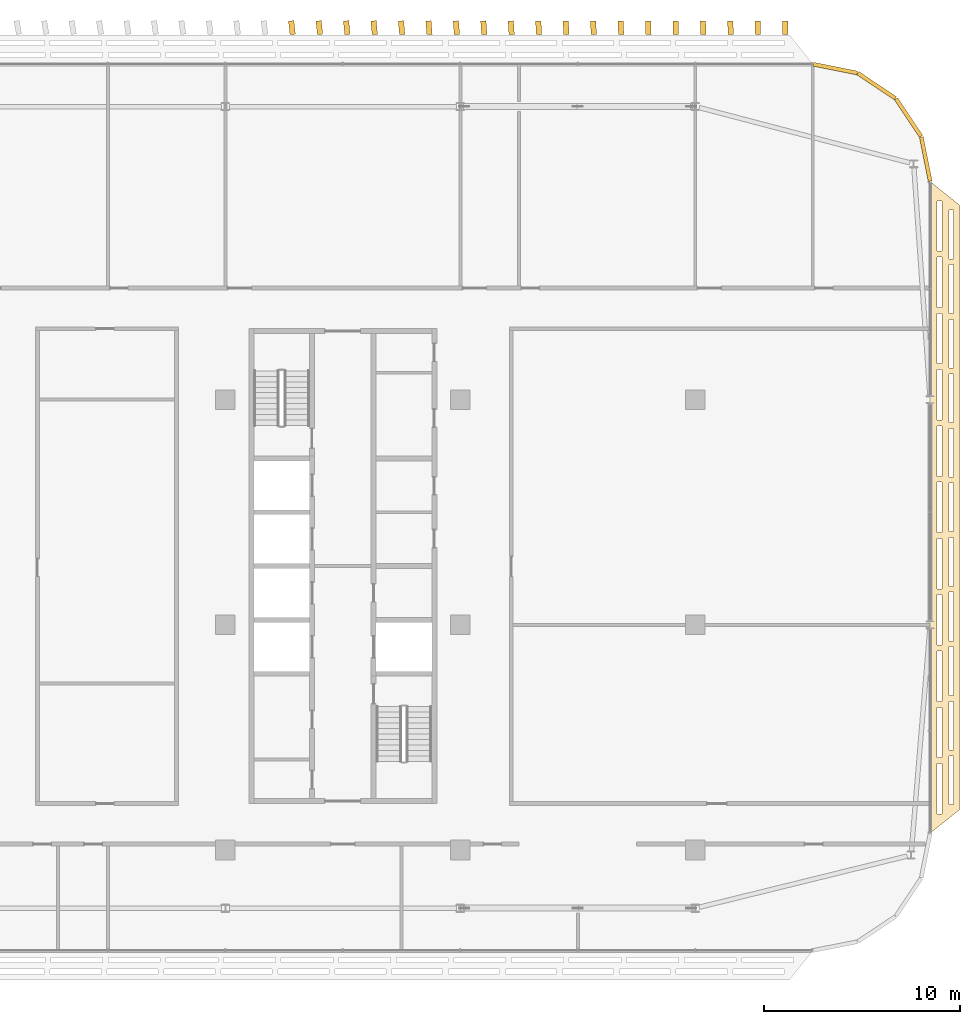
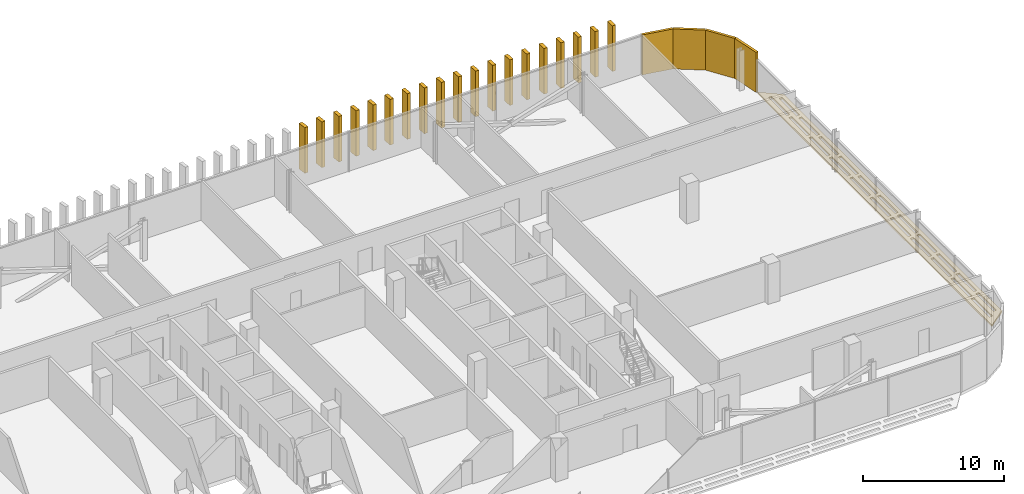
# One storey, part 32 of 32: 24 coverings.
"""IFC4 building model written with IfcOpenShell, lengths in metres."""

from ifc_helpers import new_model, si_unit, direction, frame, origin, origin_2d, place, context, subcontext, project, spatial, polyline, rectangle, outline, extrude, material, layer, layer_set, type_object, element, save


model = new_model("IFC4")

# Units and contexts
model_context = context("Model", 3, precision=1e-05, world=origin(), true_north=direction((0.0, 1.0)))
body_context = subcontext(model_context, "Body", "Model", "MODEL_VIEW")
ifc_project = project(units=[si_unit("LENGTHUNIT", "METRE"), si_unit("AREAUNIT", "SQUARE_METRE"), si_unit("VOLUMEUNIT", "CUBIC_METRE"), si_unit("PLANEANGLEUNIT", "RADIAN"), si_unit("MASSUNIT", "GRAM", prefix="KILO")], contexts=[model_context])

# Site, building, storey
site_placement = place(None, origin())
site = spatial("IfcSite", under=ifc_project, at=site_placement, CompositionType="ELEMENT")
building_placement = place(site_placement, origin())
building = spatial("IfcBuilding", under=site, at=building_placement, Name="Mahtab Terrace Research Tower", CompositionType="ELEMENT")
storey_placement = place(building_placement, frame((0.0, 0.0, 232.39990234375)))
storey = spatial("IfcBuildingStorey", under=building, at=storey_placement, Name="L56", CompositionType="ELEMENT", Elevation=232.39990234375)

# Coverings
ifc_material_1 = material(Name="Black aluminium cladding panel", Category="aluminium")
ifc_layer_1 = layer(ifc_material_1, 0.199951171875)
ifc_layer_set_1 = layer_set([ifc_layer_1], Name="Black metal corner cladding 200")
covering_type_1 = type_object("IfcCoveringType", Name="Black metal corner cladding 200", PredefinedType="CLADDING", material=ifc_layer_set_1)
for number, where, z_axis, x_axis, name in (
    (1, (52.89306640625, 25.908447265625, 0.0), (0.0, 0.0, 1.0), (-0.555291490808, 0.831655794326, 0.0), "Corner cladding L56 0"),
    (2, (51.26953125, 27.531982421875, 0.0), (0.0, 0.0, 1.0), (-0.831655794326, 0.555291490808, 0.0), "Corner cladding L56 1"),
    (3, (49.14794921875, 28.410400390625, 0.0), (0.0, 0.0, 1.0), (-0.980760981187, 0.195212442692, 0.0), "Corner cladding L56 2"),
    (4, (53.771484375, 23.787109375, 0.0), (0.0, 0.0, 1.0), (-0.195212442692, 0.980760981187, 0.0), "Corner cladding L56 24"),
):
    element("IfcCovering", number, at=place(storey_placement, frame(where, z_axis=z_axis, x_axis=x_axis)), inside=storey, type_object=covering_type_1, Name=name, PredefinedType="CLADDING", context=body_context, shape_type="SweptSolid", body=[
        extrude(rectangle(XDim=2.30126953125, YDim=0.199951171875, at=origin_2d()), origin(), (0.0, 0.0, 1.0), 3.4599609375),
    ])
ifc_material_2 = material(Name="Black anodised aluminium", Category="aluminium")
ifc_layer_2 = layer(ifc_material_2, 0.14990234375)
ifc_layer_set_2 = layer_set([ifc_layer_2], Name="Horizontal sunshade band")
covering_type_2 = type_object("IfcCoveringType", Name="Horizontal sunshade band", PredefinedType="CLADDING", material=ifc_layer_set_2)
covering_placement = place(storey_placement, frame((0.0, 0.0, -0.14990234375)))
element("IfcCovering", 5, at=covering_placement, inside=storey, type_object=covering_type_2, Name="Sunshade band L56 21", PredefinedType="CLADDING", context=body_context, shape_type="SweptSolid", body=[
    extrude(outline(polyline([(54.0, -10.638916015625), (54.0, 22.638916015625), (55.5, 21.43896484375), (55.5, -9.43896484375), (54.0, -10.638916015625)]), holes=[polyline([(54.35009765625, -9.658935546875), (54.35009765625, -7.0849609375), (54.60009765625, -7.0849609375), (54.60009765625, -9.658935546875), (54.35009765625, -9.658935546875)]), polyline([(54.35009765625, -6.784912109375), (54.35009765625, -4.2099609375), (54.60009765625, -4.2099609375), (54.60009765625, -6.784912109375), (54.35009765625, -6.784912109375)]), polyline([(54.35009765625, -3.909912109375), (54.35009765625, -1.3359375), (54.60009765625, -1.3359375), (54.60009765625, -3.909912109375), (54.35009765625, -3.909912109375)]), polyline([(54.35009765625, -1.035888671875), (54.35009765625, 1.5380859375), (54.60009765625, 1.5380859375), (54.60009765625, -1.035888671875), (54.35009765625, -1.035888671875)]), polyline([(54.35009765625, 1.837890625), (54.35009765625, 4.4130859375), (54.60009765625, 4.4130859375), (54.60009765625, 1.837890625), (54.35009765625, 1.837890625)]), polyline([(54.35009765625, 4.712890625), (54.35009765625, 7.287109375), (54.60009765625, 7.287109375), (54.60009765625, 4.712890625), (54.35009765625, 4.712890625)]), polyline([(54.35009765625, 7.5869140625), (54.35009765625, 10.162109375), (54.60009765625, 10.162109375), (54.60009765625, 7.5869140625), (54.35009765625, 7.5869140625)]), polyline([(54.35009765625, 10.4619140625), (54.35009765625, 13.035888671875), (54.60009765625, 13.035888671875), (54.60009765625, 10.4619140625), (54.35009765625, 10.4619140625)]), polyline([(54.35009765625, 13.3359375), (54.35009765625, 15.909912109375), (54.60009765625, 15.909912109375), (54.60009765625, 13.3359375), (54.35009765625, 13.3359375)]), polyline([(54.35009765625, 16.2099609375), (54.35009765625, 18.784912109375), (54.60009765625, 18.784912109375), (54.60009765625, 16.2099609375), (54.35009765625, 16.2099609375)]), polyline([(54.35009765625, 19.0849609375), (54.35009765625, 21.658935546875), (54.60009765625, 21.658935546875), (54.60009765625, 19.0849609375), (54.35009765625, 19.0849609375)]), polyline([(54.949951171875, -9.178955078125), (54.949951171875, -6.69189453125), (55.199951171875, -6.69189453125), (55.199951171875, -9.178955078125), (54.949951171875, -9.178955078125)]), polyline([(54.949951171875, -6.39208984375), (54.949951171875, -3.905029296875), (55.199951171875, -3.905029296875), (55.199951171875, -6.39208984375), (54.949951171875, -6.39208984375)]), polyline([(54.949951171875, -3.60498046875), (54.949951171875, -1.117919921875), (55.199951171875, -1.117919921875), (55.199951171875, -3.60498046875), (54.949951171875, -3.60498046875)]), polyline([(54.949951171875, -0.818115234375), (54.949951171875, 1.6689453125), (55.199951171875, 1.6689453125), (55.199951171875, -0.818115234375), (54.949951171875, -0.818115234375)]), polyline([(54.949951171875, 1.968994140625), (54.949951171875, 4.4560546875), (55.199951171875, 4.4560546875), (55.199951171875, 1.968994140625), (54.949951171875, 1.968994140625)]), polyline([(54.949951171875, 4.756103515625), (54.949951171875, 7.243896484375), (55.199951171875, 7.243896484375), (55.199951171875, 4.756103515625), (54.949951171875, 4.756103515625)]), polyline([(54.949951171875, 7.5439453125), (54.949951171875, 10.031005859375), (55.199951171875, 10.031005859375), (55.199951171875, 7.5439453125), (54.949951171875, 7.5439453125)]), polyline([(54.949951171875, 10.3310546875), (54.949951171875, 12.818115234375), (55.199951171875, 12.818115234375), (55.199951171875, 10.3310546875), (54.949951171875, 10.3310546875)]), polyline([(54.949951171875, 13.117919921875), (54.949951171875, 15.60498046875), (55.199951171875, 15.60498046875), (55.199951171875, 13.117919921875), (54.949951171875, 13.117919921875)]), polyline([(54.949951171875, 15.905029296875), (54.949951171875, 18.39208984375), (55.199951171875, 18.39208984375), (55.199951171875, 15.905029296875), (54.949951171875, 15.905029296875)]), polyline([(54.949951171875, 18.69189453125), (54.949951171875, 21.178955078125), (55.199951171875, 21.178955078125), (55.199951171875, 18.69189453125), (54.949951171875, 18.69189453125)])]), origin(), (0.0, 0.0, 1.0), 0.14990234375),
])
ifc_material_3 = material(Name="Bronze anodised aluminium", Category="aluminium")
ifc_layer_3 = layer(ifc_material_3, 0.1201171875)
ifc_layer_set_3 = layer_set([ifc_layer_3], Name="Vertical fin 700")
covering_type_3 = type_object("IfcCoveringType", Name="Vertical fin 700", PredefinedType="CLADDING", material=ifc_layer_set_3)
for number, where, z_axis, x_axis, name in (
    (6, (46.60009765625, 30.48974609375, -0.14990234375), (0.0, 0.0, 1.0), (-0.999983076858, -0.005817731349, 0.0), "Fin L56 N1"),
    (7, (45.199951171875, 30.49072265625, -0.14990234375), (0.0, 0.0, 1.0), (-0.999932308004, -0.011635265807, 0.0), "Fin L56 N2"),
    (8, (43.800048828125, 30.491455078125, -0.14990234375), (0.0, 0.0, 1.0), (-0.999847695156, -0.017452406437, 0.0), "Fin L56 N3"),
    (9, (42.39990234375, 30.4921875, -0.14990234375), (0.0, 0.0, 1.0), (-0.99972924118, -0.023268956368, 0.0), "Fin L56 N4"),
    (10, (41.0, 30.492919921875, -0.14990234375), (0.0, 0.0, 1.0), (-0.999576950082, -0.029084718749, 0.0), "Fin L56 N5"),
    (11, (39.60009765625, 30.49365234375, -0.14990234375), (0.0, 0.0, 1.0), (-0.999390827019, -0.034899496703, 0.0), "Fin L56 N6"),
    (12, (38.199951171875, 30.494384765625, -0.14990234375), (0.0, 0.0, 1.0), (-0.99917087829, -0.040713093438, 0.0), "Fin L56 N7"),
    (13, (36.800048828125, 30.4951171875, -0.14990234375), (0.0, 0.0, 1.0), (-0.998917111338, -0.046525312204, 0.0), "Fin L56 N8"),
    (14, (35.39990234375, 30.495849609375, -0.14990234375), (0.0, 0.0, 1.0), (-0.998629534755, -0.052335956243, 0.0), "Fin L56 N9"),
    (15, (34.0, 30.49658203125, -0.14990234375), (0.0, 0.0, 1.0), (-0.998308158272, -0.058144828905, 0.0), "Fin L56 N10"),
    (16, (32.60009765625, 30.497314453125, -0.14990234375), (0.0, 0.0, 1.0), (-0.997952992766, -0.063951733597, 0.0), "Fin L56 N11"),
    (17, (31.199951171875, 30.497802734375, -0.14990234375), (0.0, 0.0, 1.0), (-0.99756405026, -0.069756473744, 0.0), "Fin L56 N12"),
    (18, (29.800048828125, 30.49853515625, -0.14990234375), (0.0, 0.0, 1.0), (-0.997141343917, -0.075558852893, 0.0), "Fin L56 N13"),
    (19, (28.39990234375, 30.499267578125, -0.14990234375), (0.0, 0.0, 1.0), (-0.996684888044, -0.081358674674, 0.0), "Fin L56 N14"),
    (20, (27.0, 30.499755859375, -0.14990234375), (0.0, 0.0, 1.0), (-0.996194698092, -0.087155742748, 0.0), "Fin L56 N15"),
    (21, (25.60009765625, 30.50048828125, -0.14990234375), (0.0, 0.0, 1.0), (-0.99567079065, -0.092949860924, 0.0), "Fin L56 N16"),
    (22, (24.199951171875, 30.501220703125, -0.14990234375), (0.0, 0.0, 1.0), (-0.99511318345, -0.098740833109, 0.0), "Fin L56 N17"),
    (23, (22.800048828125, 30.501708984375, -0.14990234375), (0.0, 0.0, 1.0), (-0.994521895368, -0.104528463268, 0.0), "Fin L56 N18"),
    (24, (21.39990234375, 30.502197265625, -0.14990234375), (0.0, 0.0, 1.0), (-0.993896946415, -0.110312555526, 0.0), "Fin L56 N19"),
):
    element("IfcCovering", number, at=place(storey_placement, frame(where, z_axis=z_axis, x_axis=x_axis)), inside=storey, type_object=covering_type_3, Name=name, PredefinedType="CLADDING", context=body_context, shape_type="SweptSolid", body=[
        extrude(rectangle(XDim=0.280029296875, YDim=0.699951171875, at=origin_2d()), origin(), (0.0, 0.0, 1.0), 3.949951171875),
    ])

save(model, "model.ifc")
